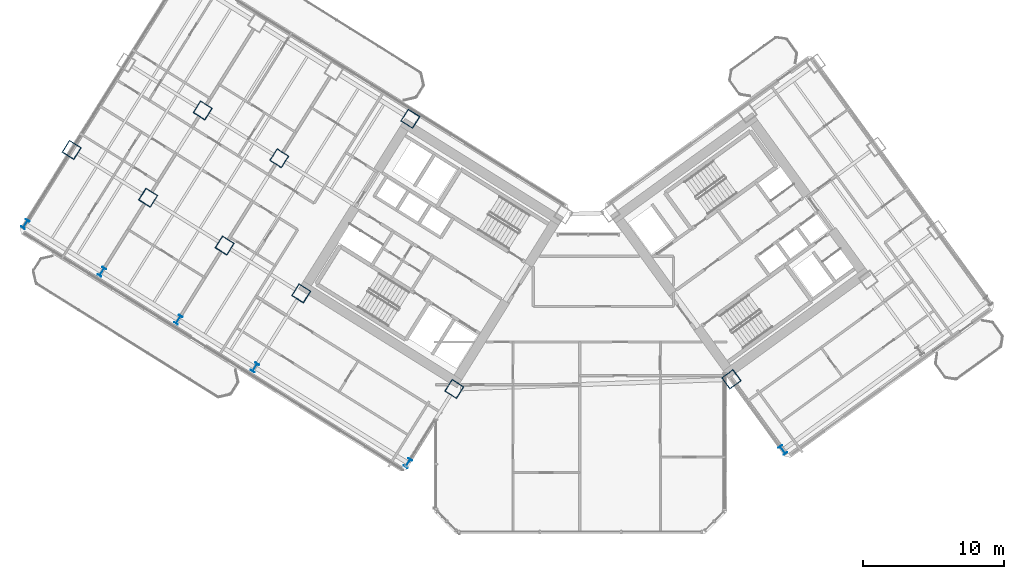
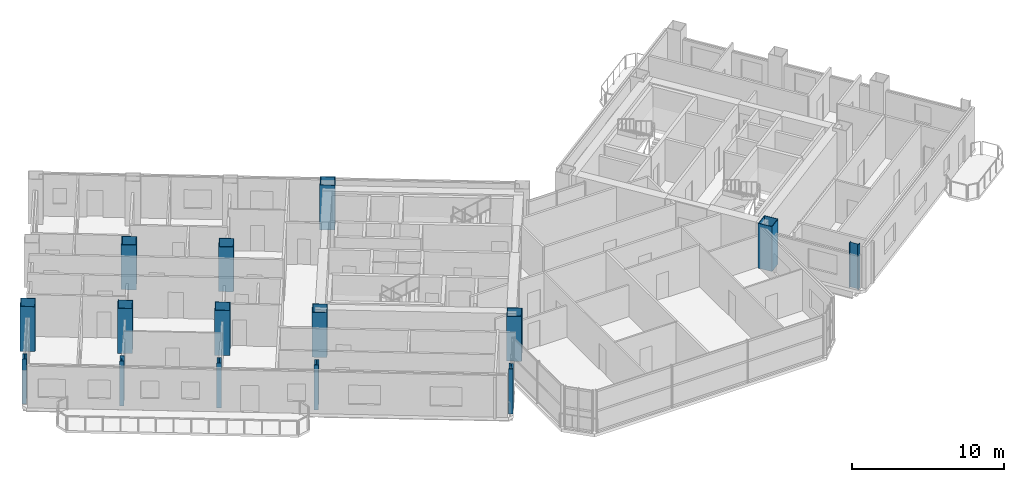
# One storey, part 1 of 28: 15 columns.
"""IFC4 building model written with IfcOpenShell, lengths in metres."""

from ifc_helpers import new_model, si_unit, direction, frame, origin, origin_2d, place, context, subcontext, project, spatial, hollow_rectangle, i_section, extrude, source, transform, mapped, material, material_profile, profile_set, type_object, element, save


model = new_model("IFC4")

# Units and contexts
model_context = context("Model", 3, precision=1e-05, world=origin(), true_north=direction((0.0, 1.0)))
body_context = subcontext(model_context, "Body", "Model", "MODEL_VIEW")
ifc_project = project(units=[si_unit("LENGTHUNIT", "METRE"), si_unit("AREAUNIT", "SQUARE_METRE"), si_unit("VOLUMEUNIT", "CUBIC_METRE"), si_unit("PLANEANGLEUNIT", "RADIAN"), si_unit("MASSUNIT", "GRAM", prefix="KILO")], contexts=[model_context])

# Site, building, storey
site_placement = place(None, origin())
site = spatial("IfcSite", under=ifc_project, at=site_placement, CompositionType="ELEMENT")
building_placement = place(site_placement, origin())
building = spatial("IfcBuilding", under=site, at=building_placement, Name="Tlacorven Tower", CompositionType="ELEMENT")
storey_placement = place(building_placement, frame((0.0, 0.0, 49.199951171875)))
storey = spatial("IfcBuildingStorey", under=building, at=storey_placement, Name="L12", CompositionType="ELEMENT", Elevation=49.199951171875)

# Columns
ifc_material = material(Name="Steel S460M", Category="steel")
ifc_material_profile_1 = material_profile(ifc_material, hollow_rectangle(XDim=1.0, YDim=1.0, WallThickness=0.0400390625, at=origin_2d()), Name="BOX 1000X1000X40")
ifc_profile_set_1 = profile_set([ifc_material_profile_1], Name="Steel S460M")
column_type_1 = type_object("IfcColumnType", Name="COL-TWR-S1", PredefinedType="COLUMN", material=ifc_profile_set_1)
shared_shape_1 = source(origin(), body_context, "Body", "SweptSolid", [
    extrude(hollow_rectangle(XDim=1.0, YDim=1.0, WallThickness=0.0400390625, at=origin_2d()), origin(), (0.0, 0.0, 1.0), 3.60009765625),
])
for number, where, z_axis, x_axis, name in (
    (1, (33.046142578125, 12.0869140625, 0.0), (0.0, 0.0, 1.0), (-0.848048096156, 0.529919264233, 0.0), "L12 column COL-L12-W1-3"),
    (2, (29.927978515625, 31.25146484375, 0.0), (0.0, 0.0, 1.0), (-0.848048096156, 0.529919264233, 0.0), "L12 column COL-L12-W3-1"),
    (3, (22.191162109375, 18.869873046875, 0.0), (0.0, 0.0, 1.0), (-0.848048096156, 0.529919264233, 0.0), "L12 column COL-L12-W3-3"),
    (4, (20.632080078125, 28.4521484375, 0.0), (0.0, 0.0, 1.0), (-0.848048096156, 0.529919264233, 0.0), "L12 column COL-L12-W4-2"),
    (5, (16.763671875, 22.26123046875, 0.0), (0.0, 0.0, 1.0), (-0.848048096156, 0.529919264233, 0.0), "L12 column COL-L12-W4-3"),
    (6, (15.20458984375, 31.843505859375, 0.0), (0.0, 0.0, 1.0), (-0.848048096156, 0.529919264233, 0.0), "L12 column COL-L12-W5-2"),
    (7, (11.336181640625, 25.65283203125, 0.0), (0.0, 0.0, 1.0), (-0.848048096156, 0.529919264233, 0.0), "L12 column COL-L12-W5-3"),
    (8, (5.90869140625, 29.044189453125, 0.0), (0.0, 0.0, 1.0), (-0.848048096156, 0.529919264233, 0.0), "L12 column COL-L12-W6-3"),
    (9, (52.705322265625, 12.7734375, 0.0), (0.0, 0.0, 1.0), (0.809016994375, 0.587785252292, 0.0), "L12 column COL-L12-E1-2"),
):
    element("IfcColumn", number, at=place(storey_placement, frame(where, z_axis=z_axis, x_axis=x_axis)), inside=storey, type_object=column_type_1, Name=name, PredefinedType="COLUMN", context=body_context, shape_type="MappedRepresentation", body=[
        mapped(shared_shape_1, transform((0.0, 0.0, 0.0), scale=1.0)),
    ])
ifc_material_profile_2 = material_profile(ifc_material, i_section(OverallWidth=0.300048828125, OverallDepth=0.64990234375, WebThickness=0.01611328125, FlangeThickness=0.031005859375, at=origin_2d()), Name="HEB 650")
ifc_profile_set_2 = profile_set([ifc_material_profile_2], Name="Steel S460M")
column_type_2 = type_object("IfcColumnType", Name="COL-TWR-P1", PredefinedType="COLUMN", material=ifc_profile_set_2)
shared_shape_2 = source(origin(), body_context, "Body", "SweptSolid", [
    extrude(i_section(OverallWidth=0.300048828125, OverallDepth=0.64990234375, WebThickness=0.01611328125, FlangeThickness=0.031005859375, at=origin_2d()), origin(), (0.0, 0.0, 1.0), 3.60009765625),
])
for number, where, z_axis, x_axis, name in (
    (10, (29.7607421875, 6.8291015625, 0.0), (0.0, 0.0, 1.0), (-0.848048096156, 0.529919264233, 0.0), "L12 column COL-L12-W1-4"),
    (11, (18.905517578125, 13.612060546875, 0.0), (0.0, 0.0, 1.0), (-0.848048096156, 0.529919264233, 0.0), "L12 column COL-L12-W3-4"),
    (12, (13.47802734375, 17.00341796875, 0.0), (0.0, 0.0, 1.0), (-0.848048096156, 0.529919264233, 0.0), "L12 column COL-L12-W4-4"),
    (13, (8.050537109375, 20.39501953125, 0.0), (0.0, 0.0, 1.0), (-0.848048096156, 0.529919264233, 0.0), "L12 column COL-L12-W5-4"),
    (14, (2.623046875, 23.786376953125, 0.0), (0.0, 0.0, 1.0), (-0.848048096156, 0.529919264233, 0.0), "L12 column COL-L12-W6-4"),
    (15, (56.349609375, 7.757568359375, 0.0), (0.0, 0.0, 1.0), (0.809016994375, 0.587785252292, 0.0), "L12 column COL-L12-E1-1"),
):
    element("IfcColumn", number, at=place(storey_placement, frame(where, z_axis=z_axis, x_axis=x_axis)), inside=storey, type_object=column_type_2, Name=name, PredefinedType="COLUMN", context=body_context, shape_type="MappedRepresentation", body=[
        mapped(shared_shape_2, transform((0.0, 0.0, 0.0), scale=1.0)),
    ])

save(model, "model.ifc")
